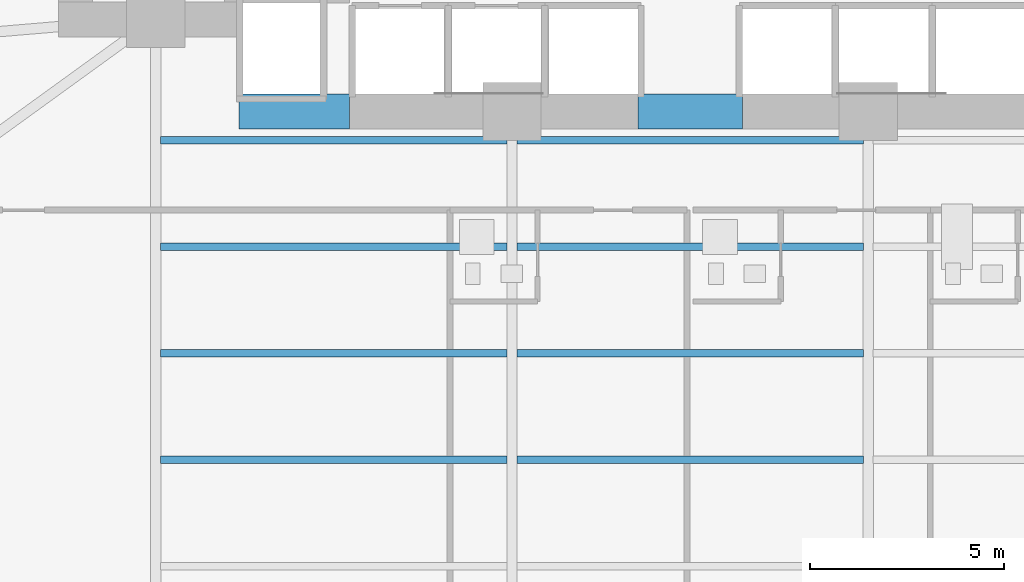
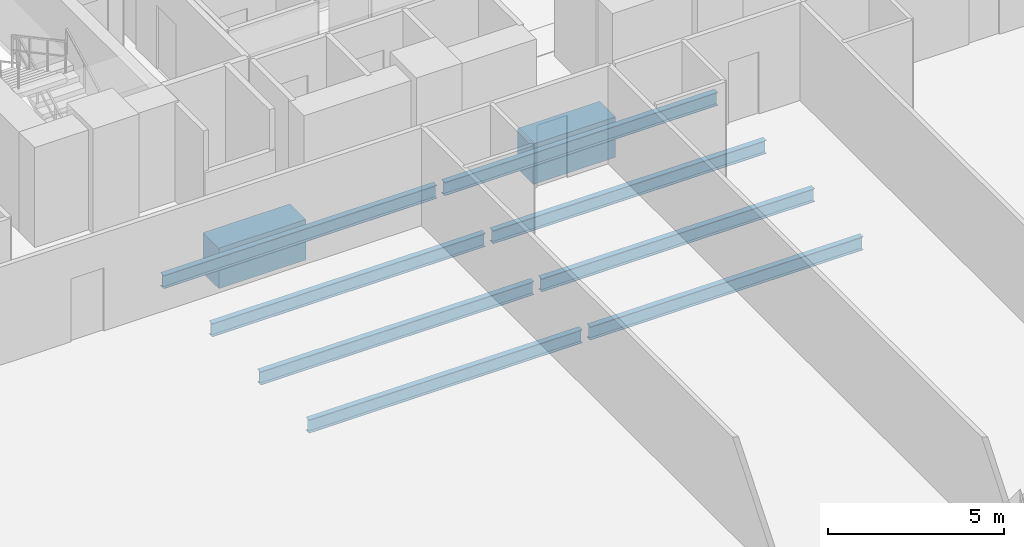
# One storey, part 7 of 30: 10 beams.
"""IFC4 building model written with IfcOpenShell, lengths in metres."""

from ifc_helpers import new_model, si_unit, direction, frame, origin, origin_2d, place, context, subcontext, project, spatial, rectangle, i_section, extrude, material, material_profile, profile_set, type_object, element, save


model = new_model("IFC4")

# Units and contexts
model_context = context("Model", 3, precision=1e-05, world=origin(), true_north=direction((0.0, 1.0)))
body_context = subcontext(model_context, "Body", "Model", "MODEL_VIEW")
ifc_project = project(units=[si_unit("LENGTHUNIT", "METRE"), si_unit("AREAUNIT", "SQUARE_METRE"), si_unit("VOLUMEUNIT", "CUBIC_METRE"), si_unit("PLANEANGLEUNIT", "RADIAN"), si_unit("MASSUNIT", "GRAM", prefix="KILO")], contexts=[model_context])

# Site, building, storey
site_placement = place(None, origin())
site = spatial("IfcSite", under=ifc_project, at=site_placement, CompositionType="ELEMENT")
building_placement = place(site_placement, origin())
building = spatial("IfcBuilding", under=site, at=building_placement, Name="Zuhayl Quay Hotel", CompositionType="ELEMENT")
storey_placement = place(building_placement, frame((0.0, 0.0, 86.0)))
storey = spatial("IfcBuildingStorey", under=building, at=storey_placement, Name="L21", CompositionType="ELEMENT", Elevation=86.0)

# Beams
ifc_material_1 = material(Name="Concrete C60/75", Category="concrete")
ifc_material_profile_1 = material_profile(ifc_material_1, rectangle(XDim=0.89990234375, YDim=1.39990234375, at=origin_2d()), Name="RC900X1400")
ifc_profile_set_1 = profile_set([ifc_material_profile_1], Name="Concrete C60/75")
beam_type_1 = type_object("IfcBeamType", Name="BM_CB1_RC900", PredefinedType="T_BEAM", material=ifc_profile_set_1)
beam_1_placement = place(storey_placement, frame((-11.64990234375, 2.14990234375, -0.919921875), z_axis=(1.0, 0.0, 0.0), x_axis=(0.0, 1.0, 0.0)))
element("IfcBeam", 1, at=beam_1_placement, inside=storey, type_object=beam_type_1, Name="L21 Core Coupling Beam SW", PredefinedType="T_BEAM", context=body_context, shape_type="SweptSolid", body=[
    extrude(rectangle(XDim=0.89990234375, YDim=1.39990234375, at=origin_2d()), origin(), (0.0, 0.0, 1.0), 2.849853515625),
])
beam_2_placement = place(storey_placement, frame((-1.35009765625, 2.14990234375, -0.919921875), z_axis=(1.0, 0.0, 0.0), x_axis=(0.0, 1.0, 0.0)))
element("IfcBeam", 2, at=beam_2_placement, inside=storey, type_object=beam_type_1, Name="L21 Core Coupling Beam South", PredefinedType="T_BEAM", context=body_context, shape_type="SweptSolid", body=[
    extrude(rectangle(XDim=0.89990234375, YDim=1.39990234375, at=origin_2d()), origin(), (0.0, 0.0, 1.0), 2.7001953125),
])
ifc_material_2 = material(Name="Steel ASTM A992 Grade 50", Category="steel")
ifc_material_profile_2 = material_profile(ifc_material_2, i_section(OverallWidth=0.18994140625, OverallDepth=0.45703125, WebThickness=0.009033203125, FlangeThickness=0.014404296875, at=origin_2d()), Name="W18X50")
ifc_profile_set_2 = profile_set([ifc_material_profile_2], Name="Steel ASTM A992 Grade 50")
beam_type_2 = type_object("IfcBeamType", Name="BM_J2_W18X50", PredefinedType="JOIST", material=ifc_profile_set_2)
beam_3_placement = place(storey_placement, frame((-13.674560546875, -6.85009765625, -0.448486328125), z_axis=(1.0, 0.0, 0.0), x_axis=(0.0, 1.0, 0.0)))
element("IfcBeam", 3, at=beam_3_placement, inside=storey, type_object=beam_type_2, Name="L21 Floor Beam FJ_L21_7_1", PredefinedType="JOIST", context=body_context, shape_type="SweptSolid", body=[
    extrude(i_section(OverallWidth=0.18994140625, OverallDepth=0.45703125, WebThickness=0.009033203125, FlangeThickness=0.014404296875, at=origin_2d()), origin(), (0.0, 0.0, 1.0), 8.948974609375),
])
beam_4_placement = place(storey_placement, frame((-4.474609375, -6.85009765625, -0.448486328125), z_axis=(1.0, 0.0, 0.0), x_axis=(0.0, 1.0, 0.0)))
element("IfcBeam", 4, at=beam_4_placement, inside=storey, type_object=beam_type_2, Name="L21 Floor Beam FJ_L21_7_2", PredefinedType="JOIST", context=body_context, shape_type="SweptSolid", body=[
    extrude(i_section(OverallWidth=0.18994140625, OverallDepth=0.45703125, WebThickness=0.009033203125, FlangeThickness=0.014404296875, at=origin_2d()), origin(), (0.0, 0.0, 1.0), 8.94921875),
])
beam_5_placement = place(storey_placement, frame((-13.674560546875, -4.10009765625, -0.448486328125), z_axis=(1.0, 0.0, 0.0), x_axis=(0.0, 1.0, 0.0)))
element("IfcBeam", 5, at=beam_5_placement, inside=storey, type_object=beam_type_2, Name="L21 Floor Beam FJ_L21_8_1", PredefinedType="JOIST", context=body_context, shape_type="SweptSolid", body=[
    extrude(i_section(OverallWidth=0.18994140625, OverallDepth=0.45703125, WebThickness=0.009033203125, FlangeThickness=0.014404296875, at=origin_2d()), origin(), (0.0, 0.0, 1.0), 8.948974609375),
])
beam_6_placement = place(storey_placement, frame((-4.474609375, -4.10009765625, -0.448486328125), z_axis=(1.0, 0.0, 0.0), x_axis=(0.0, 1.0, 0.0)))
element("IfcBeam", 6, at=beam_6_placement, inside=storey, type_object=beam_type_2, Name="L21 Floor Beam FJ_L21_8_2", PredefinedType="JOIST", context=body_context, shape_type="SweptSolid", body=[
    extrude(i_section(OverallWidth=0.18994140625, OverallDepth=0.45703125, WebThickness=0.009033203125, FlangeThickness=0.014404296875, at=origin_2d()), origin(), (0.0, 0.0, 1.0), 8.94921875),
])
beam_7_placement = place(storey_placement, frame((-13.674560546875, -1.35009765625, -0.448486328125), z_axis=(1.0, 0.0, 0.0), x_axis=(0.0, 1.0, 0.0)))
element("IfcBeam", 7, at=beam_7_placement, inside=storey, type_object=beam_type_2, Name="L21 Floor Beam FJ_L21_9_1", PredefinedType="JOIST", context=body_context, shape_type="SweptSolid", body=[
    extrude(i_section(OverallWidth=0.18994140625, OverallDepth=0.45703125, WebThickness=0.009033203125, FlangeThickness=0.014404296875, at=origin_2d()), origin(), (0.0, 0.0, 1.0), 8.948974609375),
])
beam_8_placement = place(storey_placement, frame((-4.474609375, -1.35009765625, -0.448486328125), z_axis=(1.0, 0.0, 0.0), x_axis=(0.0, 1.0, 0.0)))
element("IfcBeam", 8, at=beam_8_placement, inside=storey, type_object=beam_type_2, Name="L21 Floor Beam FJ_L21_9_2", PredefinedType="JOIST", context=body_context, shape_type="SweptSolid", body=[
    extrude(i_section(OverallWidth=0.18994140625, OverallDepth=0.45703125, WebThickness=0.009033203125, FlangeThickness=0.014404296875, at=origin_2d()), origin(), (0.0, 0.0, 1.0), 8.94921875),
])
beam_9_placement = place(storey_placement, frame((-13.674560546875, 1.39990234375, -0.448486328125), z_axis=(1.0, 0.0, 0.0), x_axis=(0.0, 1.0, 0.0)))
element("IfcBeam", 9, at=beam_9_placement, inside=storey, type_object=beam_type_2, Name="L21 Floor Beam FJ_L21_10_1", PredefinedType="JOIST", context=body_context, shape_type="SweptSolid", body=[
    extrude(i_section(OverallWidth=0.18994140625, OverallDepth=0.45703125, WebThickness=0.009033203125, FlangeThickness=0.014404296875, at=origin_2d()), origin(), (0.0, 0.0, 1.0), 8.948974609375),
])
beam_10_placement = place(storey_placement, frame((-4.474609375, 1.39990234375, -0.448486328125), z_axis=(1.0, 0.0, 0.0), x_axis=(0.0, 1.0, 0.0)))
element("IfcBeam", 10, at=beam_10_placement, inside=storey, type_object=beam_type_2, Name="L21 Floor Beam FJ_L21_10_2", PredefinedType="JOIST", context=body_context, shape_type="SweptSolid", body=[
    extrude(i_section(OverallWidth=0.18994140625, OverallDepth=0.45703125, WebThickness=0.009033203125, FlangeThickness=0.014404296875, at=origin_2d()), origin(), (0.0, 0.0, 1.0), 8.94921875),
])

save(model, "model.ifc")
